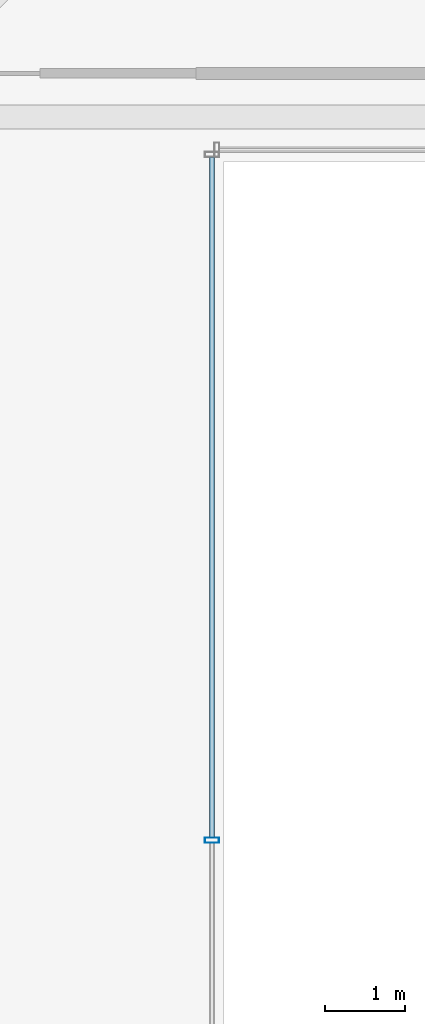
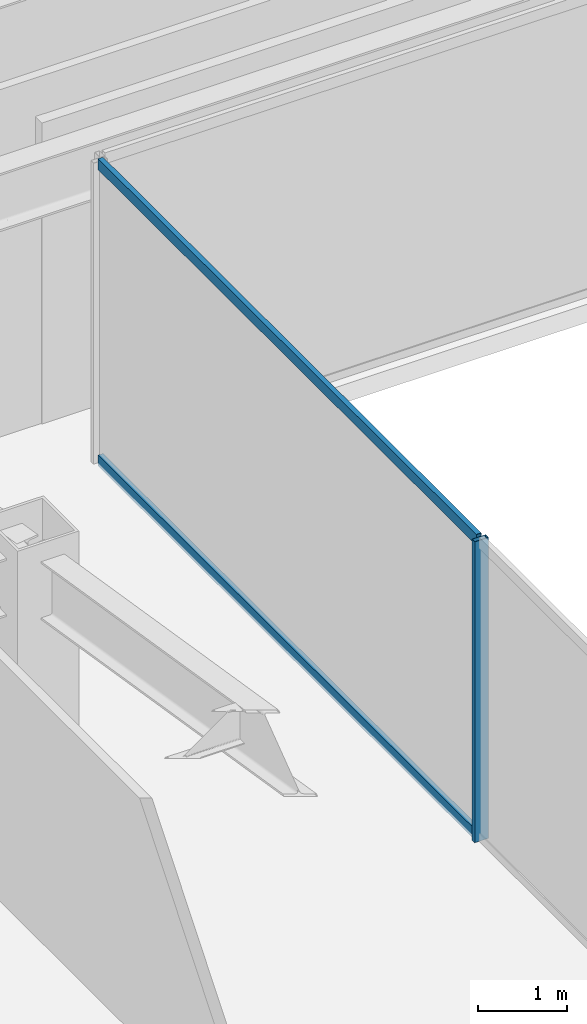
# One storey, part 14 of 47: 3 members, 1 element without a shape of its own.
"""IFC4 building model written with IfcOpenShell, lengths in metres."""

from ifc_helpers import new_model, si_unit, direction, frame, origin, origin_2d, place, context, subcontext, project, spatial, hollow_rectangle, extrude, material, material_profile, profile_set, type_object, element, aggregate, save


model = new_model("IFC4")

# Units and contexts
model_context = context("Model", 3, precision=1e-05, world=origin(), true_north=direction((0.0, 1.0)))
body_context = subcontext(model_context, "Body", "Model", "MODEL_VIEW")
ifc_project = project(units=[si_unit("LENGTHUNIT", "METRE"), si_unit("AREAUNIT", "SQUARE_METRE"), si_unit("VOLUMEUNIT", "CUBIC_METRE"), si_unit("PLANEANGLEUNIT", "RADIAN"), si_unit("MASSUNIT", "GRAM", prefix="KILO")], contexts=[model_context])

# Site, building, storey
site_placement = place(None, origin())
site = spatial("IfcSite", under=ifc_project, at=site_placement, CompositionType="ELEMENT")
building_placement = place(site_placement, origin())
building = spatial("IfcBuilding", under=site, at=building_placement, Name="Saevonmaru Cultural Tower", CompositionType="ELEMENT")
storey_placement = place(building_placement, frame((0.0, 0.0, 47.199951171875)))
storey = spatial("IfcBuildingStorey", under=building, at=storey_placement, Name="L09", CompositionType="ELEMENT", Elevation=47.199951171875)

# Curtain wall, members
ifc_material = material(Name="Satin Bronze Anodised Aluminium", Category="aluminium")
curtain_wall_type = type_object("IfcCurtainWallType", Name="CW-ATR-GLZ", PredefinedType="NOTDEFINED", material=ifc_material)
curtain_wall_placement = place(storey_placement, origin())
curtain_wall = element("IfcCurtainWall", 1, at=curtain_wall_placement, inside=storey, type_object=curtain_wall_type, Name="L09 Vertical Atrium Glazed Smoke Screen 4", PredefinedType="NOTDEFINED")
ifc_material_profile_1 = material_profile(ifc_material, hollow_rectangle(XDim=0.06494140625, YDim=0.179931640625, WallThickness=0.00390625, at=origin_2d()), Name="ALU-MULL-180x65x4")
ifc_profile_set_1 = profile_set([ifc_material_profile_1], Name="Satin Bronze Anodised Aluminium")
member_type_1 = type_object("IfcMemberType", Name="ML-CW-INT-180x65", PredefinedType="MULLION", material=ifc_profile_set_1)
member_1_placement = place(storey_placement, frame((24.050048828125, 29.52001953125, 0.0), z_axis=(0.0, 0.0, 1.0), x_axis=(0.0, -1.0, 0.0)))
member_1 = element("IfcMember", 2, at=member_1_placement, type_object=member_type_1, Name="CW-ATR-L09-4 mullion 2", PredefinedType="MULLION", context=body_context, shape_type="SweptSolid", body=[
    extrude(hollow_rectangle(XDim=0.06494140625, YDim=0.179931640625, WallThickness=0.00390625, at=origin_2d()), origin(), (0.0, 0.0, 1.0), 4.150146484375),
])
ifc_material_profile_2 = material_profile(ifc_material, hollow_rectangle(XDim=0.06494140625, YDim=0.14990234375, WallThickness=0.00390625, at=origin_2d()), Name="ALU-TRAN-150x65x4")
ifc_profile_set_2 = profile_set([ifc_material_profile_2], Name="Satin Bronze Anodised Aluminium")
member_type_2 = type_object("IfcMemberType", Name="TR-CW-INT-150x65", PredefinedType="USERDEFINED", material=ifc_profile_set_2)
member_2_placement = place(storey_placement, frame((24.050048828125, 38.097412109375, 0.032470703125), z_axis=(0.0, -1.0, 0.0), x_axis=(1.0, 0.0, 0.0)))
member_2 = element("IfcMember", 3, at=member_2_placement, type_object=member_type_2, Name="CW-ATR-L09-4 transom 1.1", ObjectType="TRANSOM", PredefinedType="USERDEFINED", context=body_context, shape_type="SweptSolid", body=[
    extrude(hollow_rectangle(XDim=0.06494140625, YDim=0.14990234375, WallThickness=0.00390625, at=origin_2d()), origin(), (0.0, 0.0, 1.0), 8.544921875),
])
member_3_placement = place(storey_placement, frame((24.050048828125, 38.097412109375, 4.117431640625), z_axis=(0.0, -1.0, 0.0), x_axis=(1.0, 0.0, 0.0)))
member_3 = element("IfcMember", 4, at=member_3_placement, type_object=member_type_2, Name="CW-ATR-L09-4 transom 1.2", ObjectType="TRANSOM", PredefinedType="USERDEFINED", context=body_context, shape_type="SweptSolid", body=[
    extrude(hollow_rectangle(XDim=0.06494140625, YDim=0.14990234375, WallThickness=0.00390625, at=origin_2d()), origin(), (0.0, 0.0, 1.0), 8.544921875),
])
aggregate(curtain_wall, [member_1, member_2, member_3])

save(model, "model.ifc")
